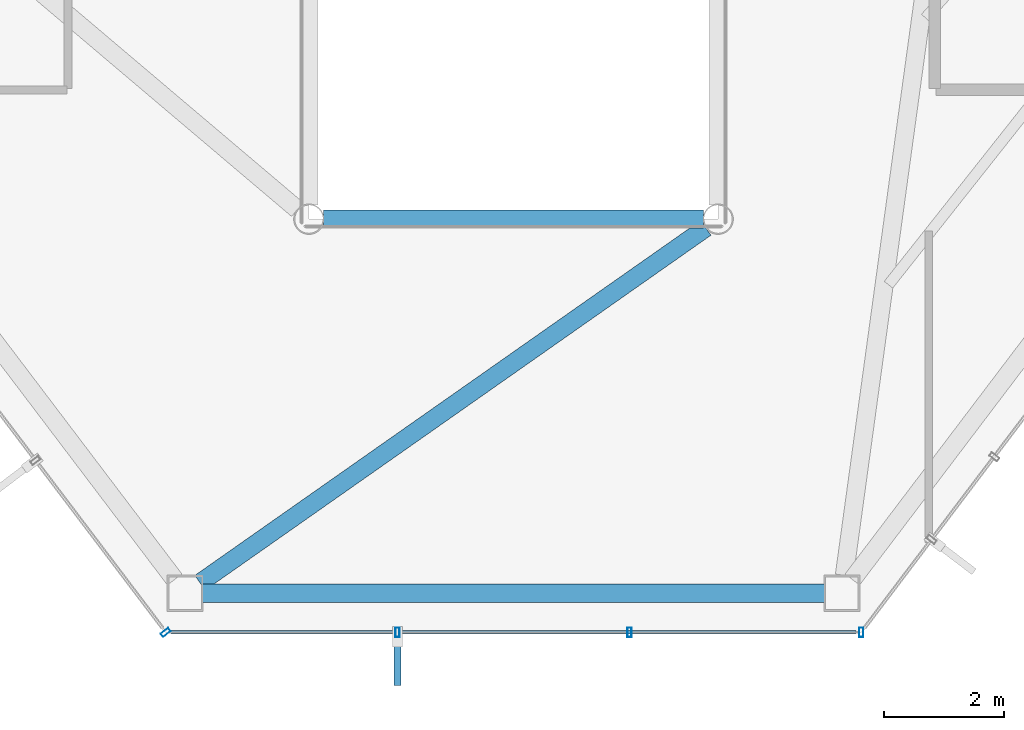
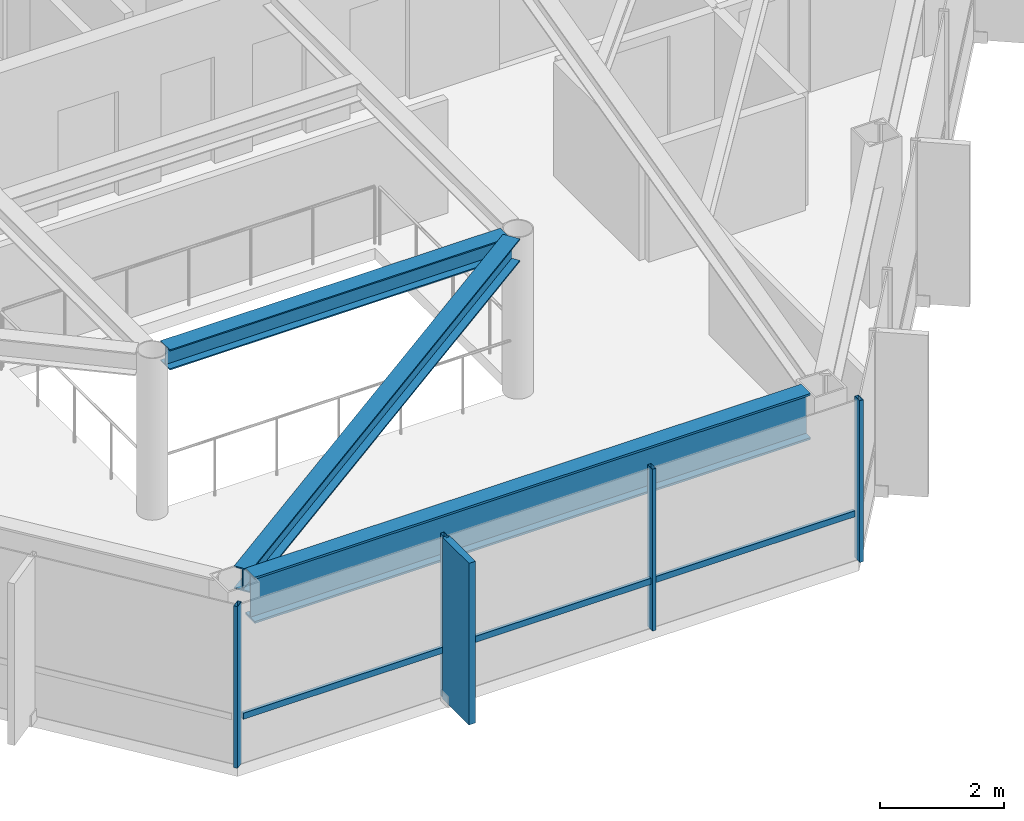
# One storey, part 7 of 27: 6 members, 3 beams, 2 elements without a shape of their own.
"""IFC4 building model written with IfcOpenShell, lengths in metres."""

from ifc_helpers import new_model, si_unit, direction, frame, origin, origin_2d, place, context, subcontext, project, spatial, rectangle, hollow_rectangle, i_section, extrude, material, layer, layer_set, material_profile, profile_set, type_object, element, aggregate, save


model = new_model("IFC4")

# Units and contexts
model_context = context("Model", 3, precision=1e-05, world=origin(), true_north=direction((0.0, 1.0)))
body_context = subcontext(model_context, "Body", "Model", "MODEL_VIEW")
ifc_project = project(units=[si_unit("LENGTHUNIT", "METRE"), si_unit("AREAUNIT", "SQUARE_METRE"), si_unit("VOLUMEUNIT", "CUBIC_METRE"), si_unit("PLANEANGLEUNIT", "RADIAN"), si_unit("MASSUNIT", "GRAM", prefix="KILO")], contexts=[model_context])

# Site, building, storey
site_placement = place(None, origin())
site = spatial("IfcSite", under=ifc_project, at=site_placement, CompositionType="ELEMENT")
building_placement = place(site_placement, origin())
building = spatial("IfcBuilding", under=site, at=building_placement, Name="Zarrinselat Tower", CompositionType="ELEMENT")
storey_placement = place(building_placement, frame((0.0, 0.0, 229.159912109375)))
storey = spatial("IfcBuildingStorey", under=building, at=storey_placement, Name="L57", CompositionType="ELEMENT", Elevation=229.159912109375)

# Beams
ifc_material_1 = material(Name="Steel S355J2", Category="steel")
ifc_material_profile_1 = material_profile(ifc_material_1, i_section(OverallWidth=0.300048828125, OverallDepth=0.39990234375, WebThickness=0.013427734375, FlangeThickness=0.02392578125, at=origin_2d()), Name="HEB 400")
ifc_profile_set_1 = profile_set([ifc_material_profile_1], Name="Steel S355J2")
beam_type_1 = type_object("IfcBeamType", Name="BM-HEB400", PredefinedType="BEAM", material=ifc_profile_set_1)
beam_1_placement = place(storey_placement, frame((35.239990234375, 25.199951171875, 2.97998046875), z_axis=(1.0, 0.0, 0.0), x_axis=(0.0, 1.0, 0.0)))
element("IfcBeam", 1, at=beam_1_placement, inside=storey, type_object=beam_type_1, Name="L57 Atrium Edge Beam S", PredefinedType="BEAM", context=body_context, shape_type="SweptSolid", body=[
    extrude(i_section(OverallWidth=0.300048828125, OverallDepth=0.39990234375, WebThickness=0.013427734375, FlangeThickness=0.02392578125, at=origin_2d()), origin(), (0.0, 0.0, 1.0), 6.320068359375),
])
ifc_material_2 = material(Name="Steel S355J2", Category="steel")
ifc_material_profile_2 = material_profile(ifc_material_2, i_section(OverallWidth=0.300048828125, OverallDepth=0.449951171875, WebThickness=0.013916015625, FlangeThickness=0.02587890625, at=origin_2d()), Name="HEB 450")
ifc_profile_set_2 = profile_set([ifc_material_profile_2], Name="Steel S355J2")
beam_type_2 = type_object("IfcBeamType", Name="BM-HEB450", PredefinedType="BEAM", material=ifc_profile_set_2)
beam_2_placement = place(storey_placement, frame((33.190185546875, 19.157470703125, 2.955078125), z_axis=(0.818534333595, 0.574457609164, 0.0), x_axis=(-0.574457609164, 0.818534333595, 0.0)))
element("IfcBeam", 2, at=beam_2_placement, inside=storey, type_object=beam_type_2, Name="L57 Radial Primary Girder RG10", PredefinedType="BEAM", context=body_context, shape_type="SweptSolid", body=[
    extrude(i_section(OverallWidth=0.300048828125, OverallDepth=0.449951171875, WebThickness=0.013916015625, FlangeThickness=0.02587890625, at=origin_2d()), origin(), (0.0, 0.0, 1.0), 10.268798828125),
])
ifc_material_3 = material(Name="Steel S460M", Category="steel")
ifc_material_profile_3 = material_profile(ifc_material_3, i_section(OverallWidth=0.302001953125, OverallDepth=0.909912109375, WebThickness=0.02099609375, FlangeThickness=0.0400390625, at=origin_2d()), Name="HEM 900")
ifc_profile_set_3 = profile_set([ifc_material_profile_3], Name="Steel S460M")
beam_type_3 = type_object("IfcBeamType", Name="BM-HEM900", PredefinedType="BEAM", material=ifc_profile_set_3)
beam_3_placement = place(storey_placement, frame((33.23095703125, 18.98388671875, 2.72509765625), z_axis=(1.0, 0.0, 0.0), x_axis=(0.0, 1.0, 0.0)))
element("IfcBeam", 3, at=beam_3_placement, inside=storey, type_object=beam_type_3, Name="L57 Perimeter Spandrel Girder SP10", PredefinedType="BEAM", context=body_context, shape_type="SweptSolid", body=[
    extrude(i_section(OverallWidth=0.302001953125, OverallDepth=0.909912109375, WebThickness=0.02099609375, FlangeThickness=0.0400390625, at=origin_2d()), origin(), (0.0, 0.0, 1.0), 10.338134765625),
])

# Curtain wall, member
ifc_material_4 = material(Name="Extruded Aluminium Alloy EN AW-6063 T6", Category="aluminium")
ifc_layer = layer(ifc_material_4, 0.169921875)
ifc_layer_set = layer_set([ifc_layer], Name="Extruded Aluminium Alloy EN AW-6063 T6")
curtain_wall_type = type_object("IfcCurtainWallType", Name="CWS-RES", PredefinedType="NOTDEFINED", material=ifc_layer_set)
curtain_wall_1_placement = place(storey_placement, origin())
curtain_wall_1 = element("IfcCurtainWall", 4, at=curtain_wall_1_placement, inside=storey, type_object=curtain_wall_type, Name="L57 Unitised Curtain Wall CW-L57-E03", PredefinedType="NOTDEFINED")
ifc_material_5 = material(Name="Extruded Aluminium Alloy EN AW-6063 T6", Category="aluminium")
ifc_material_profile_4 = material_profile(ifc_material_5, hollow_rectangle(XDim=0.070068359375, YDim=0.159912109375, WallThickness=0.00390625, at=origin_2d()), Name="RHS 160x70x4")
ifc_profile_set_4 = profile_set([ifc_material_profile_4], Name="Extruded Aluminium Alloy EN AW-6063 T6")
member_type_1 = type_object("IfcMemberType", Name="MEM-CW-MUL2", PredefinedType="MULLION", material=ifc_profile_set_4)
member_1_placement = place(storey_placement, frame((32.6201171875, 18.333984375, 0.0), z_axis=(0.0, 0.0, 1.0), x_axis=(0.603857419315, -0.7970923517, 0.0)))
member_1 = element("IfcMember", 5, at=member_1_placement, type_object=member_type_1, Name="CW-L57-E03 Mullion 8", PredefinedType="MULLION", context=body_context, shape_type="SweptSolid", body=[
    extrude(hollow_rectangle(XDim=0.070068359375, YDim=0.159912109375, WallThickness=0.00390625, at=origin_2d()), origin(), (0.0, 0.0, 1.0), 3.18017578125),
])
aggregate(curtain_wall_1, [member_1])

# Curtain wall, members
curtain_wall_2_placement = place(storey_placement, origin())
curtain_wall_2 = element("IfcCurtainWall", 6, at=curtain_wall_2_placement, inside=storey, type_object=curtain_wall_type, Name="L57 Unitised Curtain Wall CW-L57-E04", PredefinedType="NOTDEFINED")
member_2_placement = place(storey_placement, frame((36.473388671875, 18.333984375, 0.0), z_axis=(0.0, 0.0, 1.0), x_axis=(1.0, 0.0, 0.0)))
member_2 = element("IfcMember", 7, at=member_2_placement, type_object=member_type_1, Name="CW-L57-E04 Mullion 1", PredefinedType="MULLION", context=body_context, shape_type="SweptSolid", body=[
    extrude(hollow_rectangle(XDim=0.070068359375, YDim=0.159912109375, WallThickness=0.00390625, at=origin_2d()), origin(), (0.0, 0.0, 1.0), 3.18017578125),
])
member_3_placement = place(storey_placement, frame((40.32666015625, 18.333984375, 0.0), z_axis=(0.0, 0.0, 1.0), x_axis=(1.0, 0.0, 0.0)))
member_3 = element("IfcMember", 8, at=member_3_placement, type_object=member_type_1, Name="CW-L57-E04 Mullion 2", PredefinedType="MULLION", context=body_context, shape_type="SweptSolid", body=[
    extrude(hollow_rectangle(XDim=0.070068359375, YDim=0.159912109375, WallThickness=0.00390625, at=origin_2d()), origin(), (0.0, 0.0, 1.0), 3.18017578125),
])
member_4_placement = place(storey_placement, frame((44.179931640625, 18.333984375, 0.0), z_axis=(0.0, 0.0, 1.0), x_axis=(1.0, 0.0, 0.0)))
member_4 = element("IfcMember", 9, at=member_4_placement, type_object=member_type_1, Name="CW-L57-E04 Mullion 3", PredefinedType="MULLION", context=body_context, shape_type="SweptSolid", body=[
    extrude(hollow_rectangle(XDim=0.070068359375, YDim=0.159912109375, WallThickness=0.00390625, at=origin_2d()), origin(), (0.0, 0.0, 1.0), 3.18017578125),
])
ifc_material_6 = material(Name="Extruded Aluminium Alloy EN AW-6063 T6", Category="aluminium")
ifc_material_profile_5 = material_profile(ifc_material_6, hollow_rectangle(XDim=0.06005859375, YDim=0.1201171875, WallThickness=0.00390625, at=origin_2d()), Name="RHS 120x60x4")
ifc_profile_set_5 = profile_set([ifc_material_profile_5], Name="Extruded Aluminium Alloy EN AW-6063 T6")
member_type_2 = type_object("IfcMemberType", Name="MEM-CW-TRN2", PredefinedType="USERDEFINED", material=ifc_profile_set_5)
member_5_placement = place(storey_placement, frame((32.7099609375, 18.333984375, 0.9501953125), z_axis=(1.0, 0.0, 0.0), x_axis=(0.0, 1.0, 0.0)))
member_5 = element("IfcMember", 10, at=member_5_placement, type_object=member_type_2, Name="CW-L57-E04 Transom 1", ObjectType="TRANSOM", PredefinedType="USERDEFINED", context=body_context, shape_type="SweptSolid", body=[
    extrude(hollow_rectangle(XDim=0.06005859375, YDim=0.1201171875, WallThickness=0.00390625, at=origin_2d()), origin(), (0.0, 0.0, 1.0), 11.380126953125),
])
ifc_material_7 = material(Name="Honed Cream Travertine Stone", Category="masonry")
ifc_material_profile_6 = material_profile(ifc_material_7, rectangle(XDim=0.1201171875, YDim=0.85009765625, at=origin_2d()), Name="FIN 850x120")
ifc_profile_set_6 = profile_set([ifc_material_profile_6], Name="Honed Cream Travertine Stone")
member_type_3 = type_object("IfcMemberType", Name="MEM-STONE-FIN", PredefinedType="USERDEFINED", material=ifc_profile_set_6)
member_6_placement = place(storey_placement, frame((36.473388671875, 17.8740234375, 0.0), z_axis=(0.0, 0.0, 1.0), x_axis=(-1.0, 0.0, 0.0)))
member_6 = element("IfcMember", 11, at=member_6_placement, type_object=member_type_3, Name="L57 Stone Shading Fin CW-L57-E04-01", ObjectType="FIN", PredefinedType="USERDEFINED", context=body_context, shape_type="SweptSolid", body=[
    extrude(rectangle(XDim=0.1201171875, YDim=0.85009765625, at=origin_2d()), origin(), (0.0, 0.0, 1.0), 3.18017578125),
])
aggregate(curtain_wall_2, [member_2, member_6, member_3, member_4, member_5])

save(model, "model.ifc")
